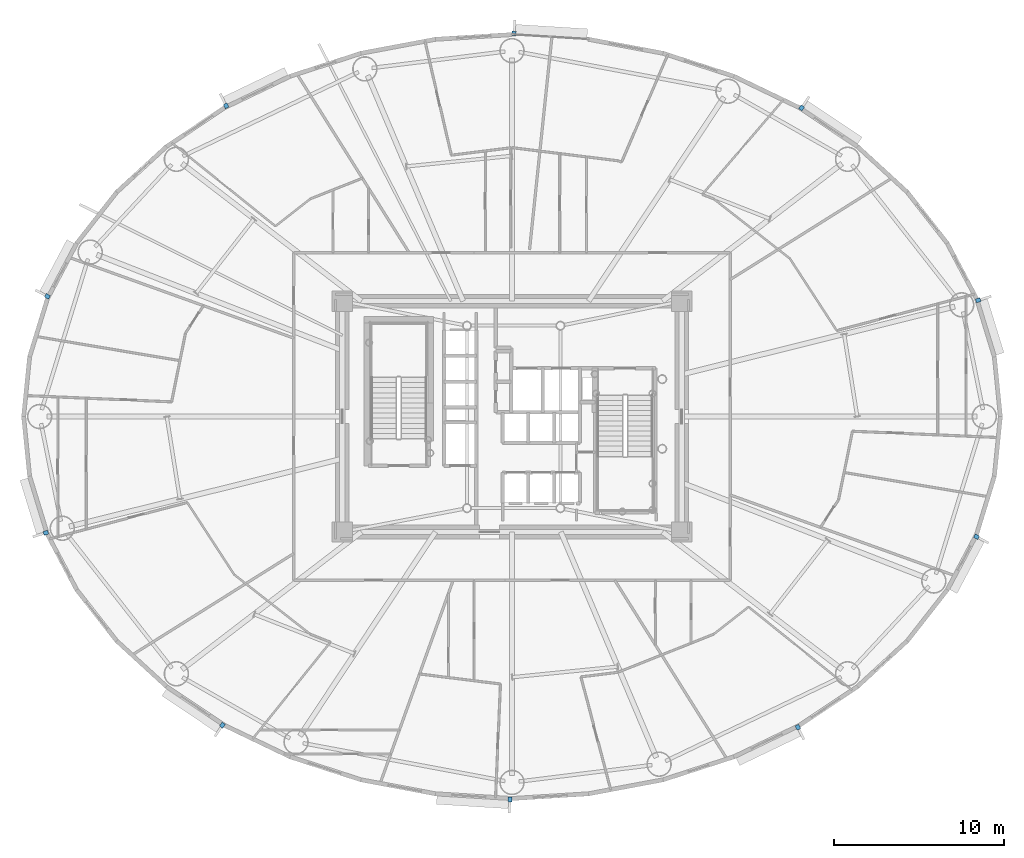
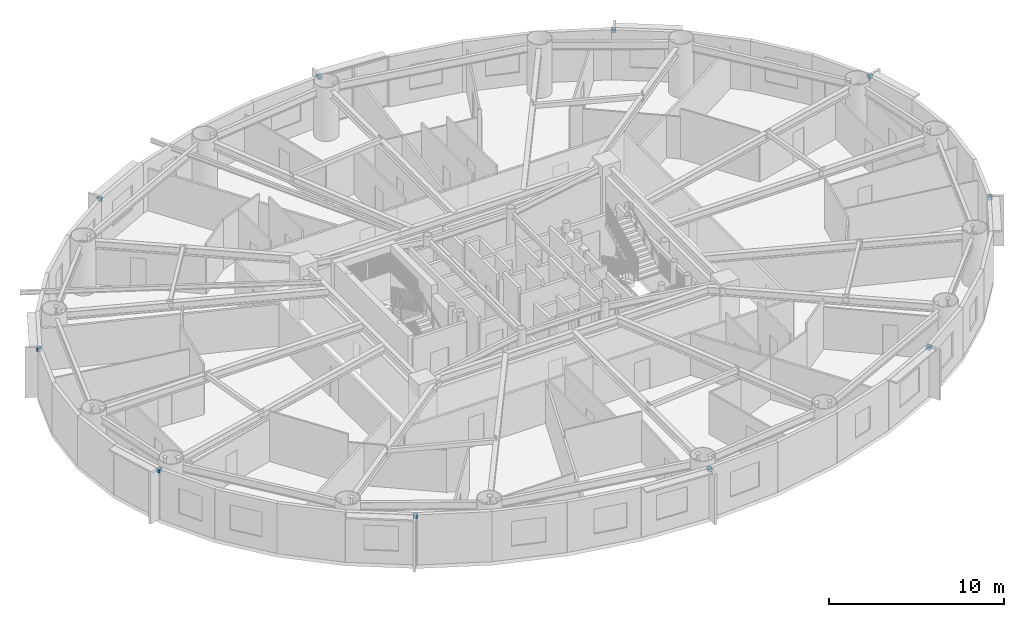
# One storey, part 16 of 21: 10 discrete accessories.
"""IFC4 building model written with IfcOpenShell, lengths in metres."""

from ifc_helpers import new_model, si_unit, direction, frame, origin, origin_2d, place, context, subcontext, project, spatial, rectangle, extrude, source, transform, mapped, material, type_object, element, save


model = new_model("IFC4")

# Units and contexts
model_context = context("Model", 3, precision=1e-05, world=origin(), true_north=direction((0.0, 1.0)))
body_context = subcontext(model_context, "Body", "Model", "MODEL_VIEW")
ifc_project = project(units=[si_unit("LENGTHUNIT", "METRE"), si_unit("AREAUNIT", "SQUARE_METRE"), si_unit("VOLUMEUNIT", "CUBIC_METRE"), si_unit("PLANEANGLEUNIT", "RADIAN"), si_unit("MASSUNIT", "GRAM", prefix="KILO")], contexts=[model_context])

# Site, building, storey
site_placement = place(None, origin())
site = spatial("IfcSite", under=ifc_project, at=site_placement, CompositionType="ELEMENT")
building_placement = place(site_placement, origin())
building = spatial("IfcBuilding", under=site, at=building_placement, Name="Linh Dai School and Residence Tower", CompositionType="ELEMENT")
storey_placement = place(building_placement, frame((0.0, 0.0, 115.949951171875)))
storey = spatial("IfcBuildingStorey", under=building, at=storey_placement, Name="L27", CompositionType="ELEMENT", Elevation=115.949951171875)

# Discrete accessories
ifc_material = material(Name="Structural Steel S355JR", Category="steel")
discrete_accessory_type = type_object("IfcDiscreteAccessoryType", Name="ACC-BRK-S355", PredefinedType="BRACKET", material=ifc_material)
shared_shape = source(origin(), body_context, "Body", "SweptSolid", [
    extrude(rectangle(XDim=0.280029296875, YDim=0.239990234375, at=origin_2d()), origin(), (0.0, 0.0, 1.0), 0.219970703125),
])
for number, where, z_axis, x_axis, name in (
    (1, (63.462646484375, 33.847900390625, 3.25), (0.0, 0.0, 1.0), (0.956071511028, 0.293133528962, 0.0), "L27 Facade Frame Anchor Bracket 02"),
    (2, (53.058349609375, 45.1826171875, 3.25), (0.0, 0.0, 1.0), (0.555913198527, 0.831240347736, 0.0), "L27 Facade Frame Anchor Bracket 06"),
    (3, (36.12353515625, 49.5576171875, 3.25), (0.0, 0.0, 1.0), (0.061509255091, 0.998106513123, 0.0), "L27 Facade Frame Anchor Bracket 10"),
    (4, (19.156982421875, 45.305419921875, 3.25), (0.0, 0.0, 1.0), (-0.432617589064, 0.901577518371, 0.0), "L27 Facade Frame Anchor Bracket 14"),
    (5, (8.633056640625, 34.079345703125, 3.25), (0.0, 0.0, 1.0), (-0.883942180016, 0.467596217252, 0.0), "L27 Facade Frame Anchor Bracket 18"),
    (6, (8.537353515625, 20.152099609375, 3.25), (0.0, 0.0, 1.0), (-0.956071511028, -0.293133528962, 0.0), "L27 Facade Frame Anchor Bracket 22"),
    (7, (18.941650390625, 8.8173828125, 3.25), (0.0, 0.0, 1.0), (-0.555913198527, -0.831240347736, 0.0), "L27 Facade Frame Anchor Bracket 26"),
    (8, (35.87646484375, 4.4423828125, 3.25), (0.0, 0.0, 1.0), (-0.061509255091, -0.998106513123, 0.0), "L27 Facade Frame Anchor Bracket 30"),
    (9, (52.843017578125, 8.694580078125, 3.25), (0.0, 0.0, 1.0), (0.432617589064, -0.901577518371, 0.0), "L27 Facade Frame Anchor Bracket 34"),
    (10, (63.366943359375, 19.920654296875, 3.25), (0.0, 0.0, 1.0), (0.883942180016, -0.467596217252, 0.0), "L27 Facade Frame Anchor Bracket 38"),
):
    element("IfcDiscreteAccessory", number, at=place(storey_placement, frame(where, z_axis=z_axis, x_axis=x_axis)), inside=storey, type_object=discrete_accessory_type, Name=name, PredefinedType="BRACKET", context=body_context, shape_type="MappedRepresentation", body=[
        mapped(shared_shape, transform((0.0, 0.0, 0.0), x_axis=(1.0, 0.0, 0.0), y_axis=(0.0, 1.0, 0.0), z_axis=(0.0, 0.0, 1.0), scale=1.0)),
    ])

save(model, "model.ifc")
